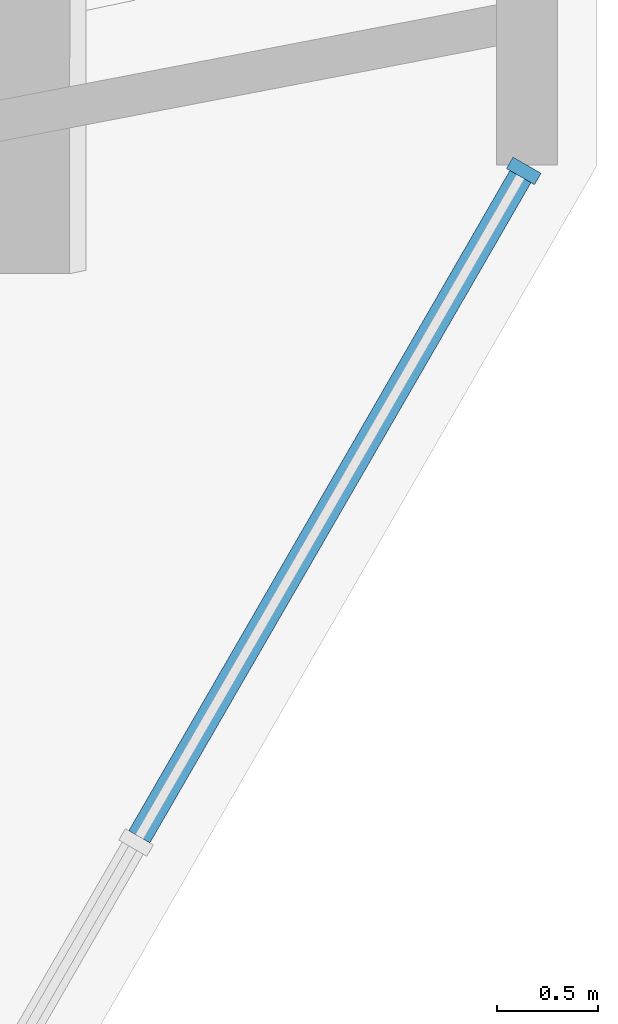
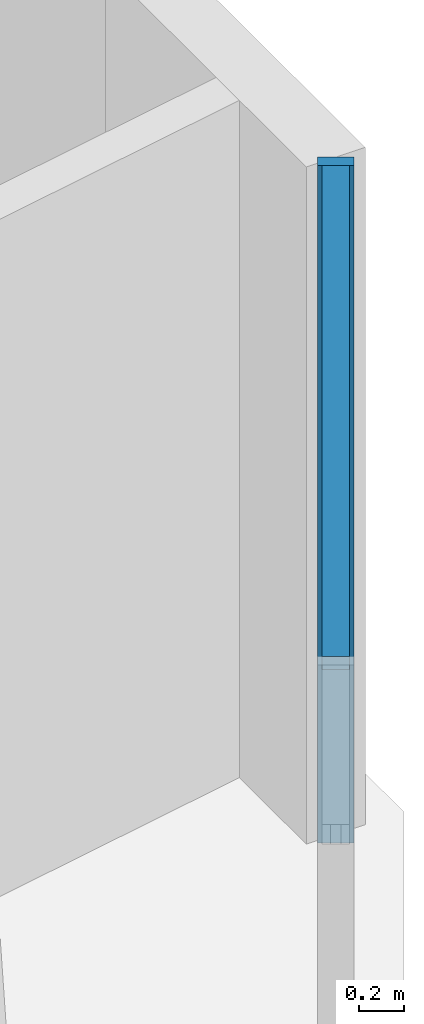
# One storey, part 6 of 16: 2 members, 1 element without a shape of its own.
"""IFC4 building model written with IfcOpenShell, lengths in metres."""

import ifcopenshell
import ifcopenshell.guid

model = None  # the IFC model being written
_history = None  # IfcOwnerHistory: only IFC2X3 demands one
_inside = {}  # id of a spatial element -> (the spatial element, [elements in it])
_under = {}  # id of a project, library or spatial element -> (it, [spatial elements below it])
_declared = {}  # id of a project -> (the project, [libraries it declares])
_typed = {}  # id of a type object -> (the type object, [elements of that type])
_made_of = {}  # id of a material, layer set ... -> (it, [elements and type objects made of it])


def new_model(schema):
    """Start an empty IFC model of exactly this schema.

    Asked for "IFC4X3", IfcOpenShell would pick the latest addendum, in which some entities
    have other attributes; the version numbers below select the first issue.
    IFC2X3 requires an IfcOwnerHistory on every rooted entity: one is made here for all.
    """
    global model, _history
    if schema == "IFC4X3":
        model = ifcopenshell.file(schema_version=(4, 3, 0, 0))
    else:
        model = ifcopenshell.file(schema=schema)
    _inside.clear()
    _under.clear()
    _declared.clear()
    _typed.clear()
    _made_of.clear()
    _history = None
    if model.schema == "IFC2X3":
        org = make("IfcOrganization", Name="unknown")
        user = make(
            "IfcPersonAndOrganization",
            ThePerson=make("IfcPerson", FamilyName="unknown"),
            TheOrganization=org,
        )
        app = make(
            "IfcApplication",
            ApplicationDeveloper=org,
            Version="unknown",
            ApplicationFullName="unknown",
            ApplicationIdentifier="unknown",
        )
        _history = make(
            "IfcOwnerHistory",
            OwningUser=user,
            OwningApplication=app,
            ChangeAction="ADDED",
            CreationDate=0,
        )
    return model


def make(cls, **values):
    """One entity of the class cls with the attributes given. An attribute that is None is left unset."""
    return model.create_entity(
        cls, **{name: value for name, value in values.items() if value is not None}
    )


def rooted(cls, **values):
    """An entity with a GlobalId (a new one), such as an element, a storey or a relation."""
    return make(cls, GlobalId=ifcopenshell.guid.new(), OwnerHistory=_history, **values)


def si_unit(unit_type, name, prefix=None):
    """IfcSIUnit, for example si_unit("LENGTHUNIT", "METRE", prefix="MILLI")."""
    return make("IfcSIUnit", UnitType=unit_type, Prefix=prefix, Name=name)


def assignment(units):
    """IfcUnitAssignment: the units of a project."""
    return None if units is None else make("IfcUnitAssignment", Units=units)


def point(xyz):
    """IfcCartesianPoint."""
    return None if xyz is None else make("IfcCartesianPoint", Coordinates=xyz)


def direction(xyz):
    """IfcDirection."""
    return None if xyz is None else make("IfcDirection", DirectionRatios=xyz)


def frame(location, z_axis=None, x_axis=None):
    """IfcAxis2Placement3D, a coordinate frame: its origin and axes. An axis left out is left unset."""
    return make(
        "IfcAxis2Placement3D",
        Location=point(location),
        Axis=direction(z_axis),
        RefDirection=direction(x_axis),
    )


def frame_2d(location, x_axis=None):
    """IfcAxis2Placement2D, a coordinate frame in the plane: its origin and x axis."""
    return make(
        "IfcAxis2Placement2D", Location=point(location), RefDirection=direction(x_axis)
    )


def origin():
    """The frame at (0, 0, 0) with its axes left unset."""
    return frame((0.0, 0.0, 0.0))


def origin_2d():
    """The frame at (0, 0) in the plane with its x axis left unset."""
    return frame_2d((0.0, 0.0))


def place(relative_to, where):
    """IfcLocalPlacement: puts the frame where relative to a parent placement (None: the world)."""
    return make(
        "IfcLocalPlacement", PlacementRelTo=relative_to, RelativePlacement=where
    )


def context(
    kind, dimensions, precision=None, world=None, true_north=None, identifier=None
):
    """IfcGeometricRepresentationContext, for example the 3D "Model" context."""
    return make(
        "IfcGeometricRepresentationContext",
        ContextIdentifier=identifier,
        ContextType=kind,
        CoordinateSpaceDimension=dimensions,
        Precision=precision,
        WorldCoordinateSystem=world,
        TrueNorth=true_north,
    )


def subcontext(parent, identifier, kind, view, scale=None):
    """IfcGeometricRepresentationSubContext, for example "Body" below "Model"."""
    return make(
        "IfcGeometricRepresentationSubContext",
        ContextIdentifier=identifier,
        ContextType=kind,
        ParentContext=parent,
        TargetScale=scale,
        TargetView=view,
    )


def project(units=None, contexts=None):
    """IfcProject with its units and contexts."""
    return rooted(
        "IfcProject",
        Name="project",
        RepresentationContexts=contexts,
        UnitsInContext=assignment(units),
    )


def spatial(cls, under=None, at=None, **own):
    """A site, building, storey or space (cls), placed at a placement, below another one or the project."""
    s = rooted(cls, ObjectPlacement=at, **own)
    if under is not None:
        _under.setdefault(under.id(), (under, []))[1].append(s)
    return s


def profile(cls, at=None, kind="AREA", **sizes):
    """A parametric profile (cls). Its sizes go by their IFC names, for example OverallWidth=200.0."""
    return make(cls, ProfileType=kind, Position=at, **sizes)


def rectangle(**sizes):
    """IfcRectangleProfileDef."""
    return profile("IfcRectangleProfileDef", **sizes)


def extrude(swept, where, along, depth):
    """IfcExtrudedAreaSolid: the profile swept, set in the frame where, extruded along a direction by depth."""
    return make(
        "IfcExtrudedAreaSolid",
        SweptArea=swept,
        Position=where,
        ExtrudedDirection=direction(along),
        Depth=depth,
    )


def shape(context_of_items, identifier, shape_type, items):
    """IfcShapeRepresentation: the items that make up one representation, for example the "Body"."""
    return make(
        "IfcShapeRepresentation",
        ContextOfItems=context_of_items,
        RepresentationIdentifier=identifier,
        RepresentationType=shape_type,
        Items=items,
    )


def material(Name=None, Category=None):
    """IfcMaterial."""
    return make("IfcMaterial", Name=Name, Category=Category)


def material_profile(
    of_material, cross_section, Name=None, Category=None, Priority=None
):
    """IfcMaterialProfile: a cross section and its material."""
    return make(
        "IfcMaterialProfile",
        Name=Name,
        Material=of_material,
        Profile=cross_section,
        Priority=Priority,
        Category=Category,
    )


def profile_set(profiles, Name=None, composite=None):
    """IfcMaterialProfileSet."""
    return make(
        "IfcMaterialProfileSet",
        Name=Name,
        MaterialProfiles=profiles,
        CompositeProfile=composite,
    )


def made_of(thing, what):
    """Note that an element or type object is made of a material, layer set ...; save() writes the relation."""
    if what is not None:
        _made_of.setdefault(what.id(), (what, []))[1].append(thing)
    return thing


def type_object(cls, material=None, **own):
    """A type object (cls), such as IfcWallType, which elements share."""
    return made_of(rooted(cls, **own), material)


def element(
    cls,
    number,
    at=None,
    inside=None,
    cuts=None,
    type_object=None,
    material=None,
    context=None,
    identifier="Body",
    shape_type=None,
    held_by="IfcProductDefinitionShape",
    body=None,
    shapes=None,
    **own,
):
    """One element of the class cls, such as IfcWall. Its Tag is "e" and its number.

    at: its placement. inside: the storey or other place that contains it. cuts: it is an
    opening in that element (IfcRelVoidsElement). A single representation is given by context,
    identifier, shape_type and body (its items); several are given by shapes. held_by: the class
    of the entity that holds the representations. save() writes the other relations.
    """
    e = rooted(cls, Tag="e%d" % number, ObjectPlacement=at, **own)
    if body is not None:
        shapes = [shape(context, identifier, shape_type, body)]
    if shapes is not None:
        e.Representation = make(held_by, Representations=shapes)
    if inside is not None:
        _inside.setdefault(inside.id(), (inside, []))[1].append(e)
    if cuts is not None:
        rooted(
            "IfcRelVoidsElement", RelatingBuildingElement=cuts, RelatedOpeningElement=e
        )
    if type_object is not None:
        _typed.setdefault(type_object.id(), (type_object, []))[1].append(e)
    return made_of(e, material)


def aggregate(whole, parts):
    """IfcRelAggregates: a whole, such as a stair, and the parts it consists of."""
    return rooted("IfcRelAggregates", RelatingObject=whole, RelatedObjects=parts)


def save(model, path):
    """Write the relations noted so far, then the file.

    IfcRelAggregates (storeys below a building ...), IfcRelContainedInSpatialStructure (elements
    in a storey), IfcRelDefinesByType, IfcRelAssociatesMaterial and IfcRelDeclares: one each for
    every whole, place, type object, material and project.
    """
    for whole, parts in _under.values():
        aggregate(whole, parts)
    for where, things in _inside.values():
        rooted(
            "IfcRelContainedInSpatialStructure",
            RelatedElements=things,
            RelatingStructure=where,
        )
    for kind, things in _typed.values():
        rooted("IfcRelDefinesByType", RelatedObjects=things, RelatingType=kind)
    for what, things in _made_of.values():
        rooted("IfcRelAssociatesMaterial", RelatedObjects=things, RelatingMaterial=what)
    for by, libraries in _declared.values():
        rooted("IfcRelDeclares", RelatingContext=by, RelatedDefinitions=libraries)
    model.write(path)


model = new_model("IFC4")

# Units and contexts
model_context = context("Model", 3, precision=1e-05, world=origin(), true_north=direction((0.0, 1.0)))
body_context = subcontext(model_context, "Body", "Model", "MODEL_VIEW")
ifc_project = project(units=[si_unit("LENGTHUNIT", "METRE"), si_unit("AREAUNIT", "SQUARE_METRE"), si_unit("VOLUMEUNIT", "CUBIC_METRE"), si_unit("PLANEANGLEUNIT", "RADIAN"), si_unit("MASSUNIT", "GRAM", prefix="KILO")], contexts=[model_context])

# Site, building, storey
site_placement = place(None, origin())
site = spatial("IfcSite", under=ifc_project, at=site_placement, CompositionType="ELEMENT")
building_placement = place(site_placement, origin())
building = spatial("IfcBuilding", under=site, at=building_placement, Name="Sandreach Pilgrim Tower", CompositionType="ELEMENT")
storey_placement = place(building_placement, frame((0.0, 0.0, 247.800048828125)))
storey = spatial("IfcBuildingStorey", under=building, at=storey_placement, Name="L62", CompositionType="ELEMENT", Elevation=247.800048828125)

# Curtain wall, members
ifc_material_1 = material(Name="Aluminium framed curtain wall", Category="aluminium")
curtain_wall_type = type_object("IfcCurtainWallType", Name="Upper hotel tower curtain wall", PredefinedType="NOTDEFINED", material=ifc_material_1)
curtain_wall_placement = place(storey_placement, origin())
curtain_wall = element("IfcCurtainWall", 1, at=curtain_wall_placement, inside=storey, type_object=curtain_wall_type, Name="CW-3 L62 SE", PredefinedType="NOTDEFINED")
ifc_material_2 = material(Name="Aluminium extrusion", Category="aluminium")
ifc_material_profile_1 = material_profile(ifc_material_2, rectangle(XDim=0.06494140625, YDim=0.159912109375, at=origin_2d()), Name="CW-3M 65X160")
ifc_profile_set_1 = profile_set([ifc_material_profile_1], Name="Aluminium extrusion")
member_type_1 = type_object("IfcMemberType", Name="CW-3 mullion", PredefinedType="MULLION", material=ifc_profile_set_1)
member_1_placement = place(storey_placement, frame((27.00390625, 4.451904296875, 0.0), z_axis=(0.0, 0.0, 1.0), x_axis=(-0.5, -0.866025403784, 0.0)))
member_1 = element("IfcMember", 2, at=member_1_placement, type_object=member_type_1, Name="CW-3 mullion 1", PredefinedType="MULLION", context=body_context, shape_type="SweptSolid", body=[
    extrude(rectangle(XDim=0.06494140625, YDim=0.159912109375, at=origin_2d()), origin(), (0.0, 0.0, 1.0), 3.639892578125),
])
ifc_material_3 = material(Name="Aluminium extrusion", Category="aluminium")
ifc_material_profile_2 = material_profile(ifc_material_3, rectangle(XDim=0.1201171875, YDim=0.070068359375, at=origin_2d()), Name="CW-3T 120X70")
ifc_profile_set_2 = profile_set([ifc_material_profile_2], Name="Aluminium extrusion")
member_type_2 = type_object("IfcMemberType", Name="CW-3 transom", PredefinedType="USERDEFINED", material=ifc_profile_set_2)
member_2_placement = place(storey_placement, frame((26.987548828125, 4.423828125, 3.60498046875), z_axis=(-0.499944992379, -0.86605716012, 0.0), x_axis=(0.86605716012, -0.499944992379, 0.0)))
member_2 = element("IfcMember", 3, at=member_2_placement, type_object=member_type_2, Name="CW-3 head transom 1", ObjectType="TRANSOM", PredefinedType="USERDEFINED", context=body_context, shape_type="SweptSolid", body=[
    extrude(rectangle(XDim=0.1201171875, YDim=0.070068359375, at=origin_2d()), origin(), (0.0, 0.0, 1.0), 3.76708984375),
])
aggregate(curtain_wall, [member_1, member_2])

save(model, "model.ifc")
